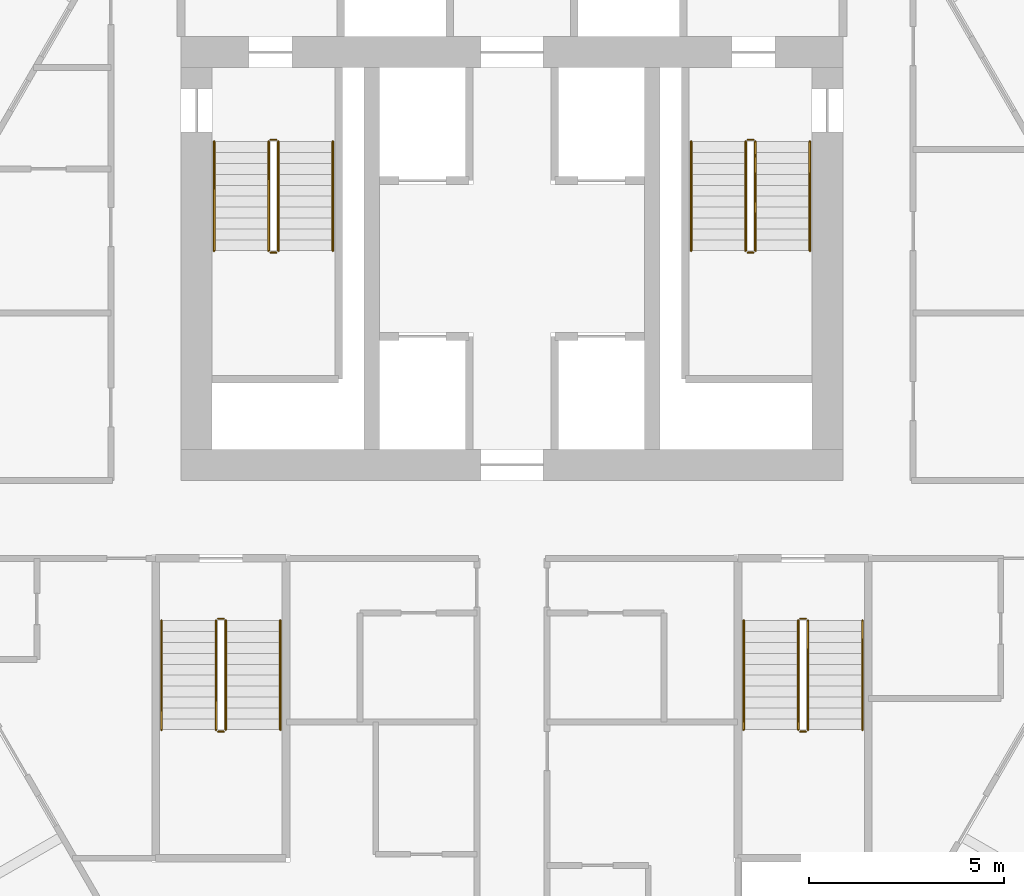
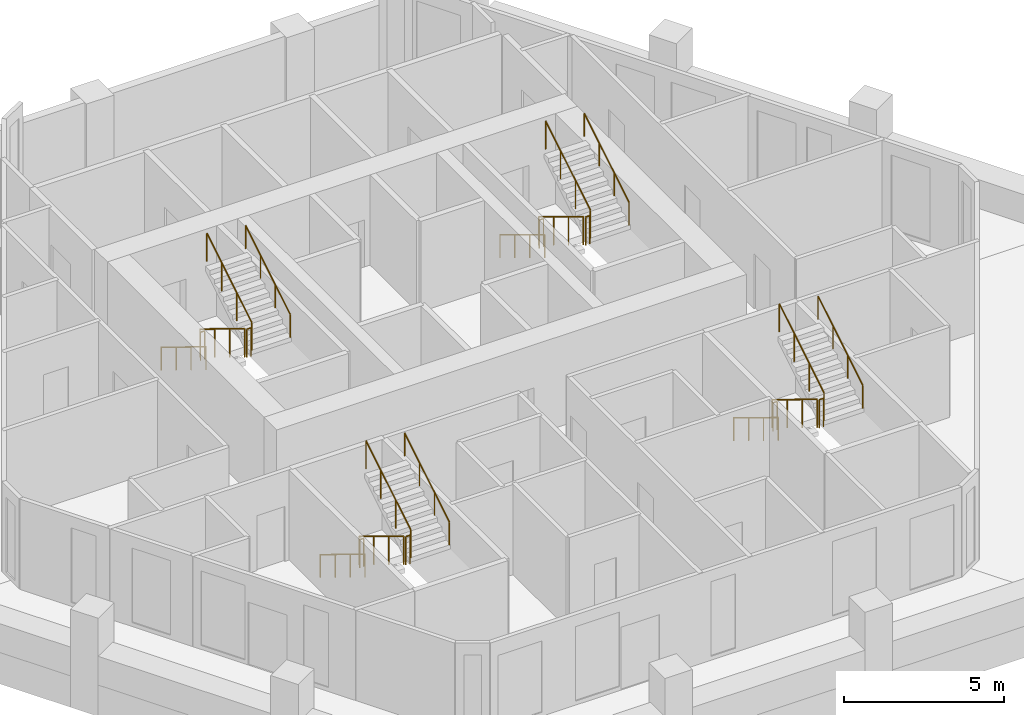
# One storey, part 7 of 7: 24 railings.
"""IFC4 building model written with IfcOpenShell, lengths in metres."""

from ifc_helpers import new_model, si_unit, direction, frame, origin, origin_2d, place, context, subcontext, project, spatial, circle, extrude, material, type_object, element, save


model = new_model("IFC4")

# Units and contexts
model_context = context("Model", 3, precision=1e-05, world=origin(), true_north=direction((0.0, 1.0)))
body_context = subcontext(model_context, "Body", "Model", "MODEL_VIEW")
ifc_project = project(units=[si_unit("LENGTHUNIT", "METRE"), si_unit("AREAUNIT", "SQUARE_METRE"), si_unit("VOLUMEUNIT", "CUBIC_METRE"), si_unit("PLANEANGLEUNIT", "RADIAN"), si_unit("MASSUNIT", "GRAM", prefix="KILO")], contexts=[model_context])

# Site, building, storey
site_placement = place(None, origin())
site = spatial("IfcSite", under=ifc_project, at=site_placement, CompositionType="ELEMENT")
building_placement = place(site_placement, origin())
building = spatial("IfcBuilding", under=site, at=building_placement, Name="Ostrander Bayou Hotel Tower", CompositionType="ELEMENT")
storey_placement = place(building_placement, frame((0.0, 0.0, 172.0)))
storey = spatial("IfcBuildingStorey", under=building, at=storey_placement, Name="L42", CompositionType="ELEMENT", Elevation=172.0)

# Railings
ifc_material_1 = material(Name="Steel ASTM A500 Gr C", Category="steel")
railing_type_1 = type_object("IfcRailingType", Name="GR1 stair guard 1100 mm steel", PredefinedType="GUARDRAIL", material=ifc_material_1)
railing_1_placement = place(storey_placement, frame((-6.25, 7.0, 0.17041015625)))
element("IfcRailing", 1, at=railing_1_placement, inside=storey, type_object=railing_type_1, Name="L42 STA stair guard 1", PredefinedType="GUARDRAIL", context=body_context, shape_type="SweptSolid", body=[
    extrude(circle(Radius=0.02392578125, at=origin_2d()), frame((0.0, 0.0, 1.076171875), z_axis=(0.0, -0.854169791009, 0.51999420009), x_axis=(1.0, 0.0, 0.0)), (0.0, 0.0, 1.0), 3.278076171875),
    extrude(circle(Radius=0.02099609375, at=origin_2d()), origin(), (0.0, 0.0, 1.0), 1.052001953125),
    extrude(circle(Radius=0.02099609375, at=origin_2d()), frame((0.0, -0.933349609375, 0.568115234375)), (0.0, 0.0, 1.0), 1.052001953125),
    extrude(circle(Radius=0.02099609375, at=origin_2d()), frame((0.0, -1.86669921875, 1.136474609375)), (0.0, 0.0, 1.0), 1.052001953125),
    extrude(circle(Radius=0.02099609375, at=origin_2d()), frame((0.0, -2.800048828125, 1.70458984375)), (0.0, 0.0, 1.0), 1.052001953125),
])
railing_2_placement = place(storey_placement, frame((-6.199951171875, 4.14990234375, 1.875)))
element("IfcRailing", 2, at=railing_2_placement, inside=storey, type_object=railing_type_1, Name="L42 STA stair guard 2", PredefinedType="GUARDRAIL", context=body_context, shape_type="SweptSolid", body=[
    extrude(circle(Radius=0.02392578125, at=origin_2d()), frame((0.0, 0.0, 1.076171875), z_axis=(1.0, 0.0, 0.0), x_axis=(0.0, 1.0, 0.0)), (0.0, 0.0, 1.0), 0.14990234375),
    extrude(circle(Radius=0.02099609375, at=origin_2d()), origin(), (0.0, 0.0, 1.0), 1.052001953125),
    extrude(circle(Radius=0.02099609375, at=origin_2d()), frame((0.14990234375, 0.0, 0.0)), (0.0, 0.0, 1.0), 1.052001953125),
])
railing_3_placement = place(storey_placement, frame((-6.0, 4.199951171875, 2.04541015625)))
element("IfcRailing", 3, at=railing_3_placement, inside=storey, type_object=railing_type_1, Name="L42 STA stair guard 3", PredefinedType="GUARDRAIL", context=body_context, shape_type="SweptSolid", body=[
    extrude(circle(Radius=0.02392578125, at=origin_2d()), frame((0.0, 0.0, 1.076171875), z_axis=(0.0, 0.854169791009, 0.51999420009), x_axis=(-1.0, 0.0, 0.0)), (0.0, 0.0, 1.0), 3.278076171875),
    extrude(circle(Radius=0.02099609375, at=origin_2d()), origin(), (0.0, 0.0, 1.0), 1.052001953125),
    extrude(circle(Radius=0.02099609375, at=origin_2d()), frame((0.0, 0.933349609375, 0.568115234375)), (0.0, 0.0, 1.0), 1.052001953125),
    extrude(circle(Radius=0.02099609375, at=origin_2d()), frame((0.0, 1.86669921875, 1.136474609375)), (0.0, 0.0, 1.0), 1.052001953125),
    extrude(circle(Radius=0.02099609375, at=origin_2d()), frame((0.0, 2.800048828125, 1.70458984375)), (0.0, 0.0, 1.0), 1.052001953125),
])
railing_4_placement = place(storey_placement, frame((-6.199951171875, 7.050048828125, 0.0)))
element("IfcRailing", 4, at=railing_4_placement, inside=storey, type_object=railing_type_1, Name="L42 STA stair guard 4", PredefinedType="GUARDRAIL", context=body_context, shape_type="SweptSolid", body=[
    extrude(circle(Radius=0.02392578125, at=origin_2d()), frame((0.0, 0.0, 1.076171875), z_axis=(1.0, 0.0, 0.0), x_axis=(0.0, 1.0, 0.0)), (0.0, 0.0, 1.0), 0.14990234375),
    extrude(circle(Radius=0.02099609375, at=origin_2d()), origin(), (0.0, 0.0, 1.0), 1.052001953125),
    extrude(circle(Radius=0.02099609375, at=origin_2d()), frame((0.14990234375, 0.0, 0.0)), (0.0, 0.0, 1.0), 1.052001953125),
])
railing_5_placement = place(storey_placement, frame((6.0, 7.0, 0.17041015625)))
element("IfcRailing", 5, at=railing_5_placement, inside=storey, type_object=railing_type_1, Name="L42 STB stair guard 1", PredefinedType="GUARDRAIL", context=body_context, shape_type="SweptSolid", body=[
    extrude(circle(Radius=0.02392578125, at=origin_2d()), frame((0.0, 0.0, 1.076171875), z_axis=(0.0, -0.854169791009, 0.51999420009), x_axis=(1.0, 0.0, 0.0)), (0.0, 0.0, 1.0), 3.278076171875),
    extrude(circle(Radius=0.02099609375, at=origin_2d()), origin(), (0.0, 0.0, 1.0), 1.052001953125),
    extrude(circle(Radius=0.02099609375, at=origin_2d()), frame((0.0, -0.933349609375, 0.568115234375)), (0.0, 0.0, 1.0), 1.052001953125),
    extrude(circle(Radius=0.02099609375, at=origin_2d()), frame((0.0, -1.86669921875, 1.136474609375)), (0.0, 0.0, 1.0), 1.052001953125),
    extrude(circle(Radius=0.02099609375, at=origin_2d()), frame((0.0, -2.800048828125, 1.70458984375)), (0.0, 0.0, 1.0), 1.052001953125),
])
railing_6_placement = place(storey_placement, frame((6.050048828125, 4.14990234375, 1.875)))
element("IfcRailing", 6, at=railing_6_placement, inside=storey, type_object=railing_type_1, Name="L42 STB stair guard 2", PredefinedType="GUARDRAIL", context=body_context, shape_type="SweptSolid", body=[
    extrude(circle(Radius=0.02392578125, at=origin_2d()), frame((0.0, 0.0, 1.076171875), z_axis=(1.0, 0.0, 0.0), x_axis=(0.0, 1.0, 0.0)), (0.0, 0.0, 1.0), 0.14990234375),
    extrude(circle(Radius=0.02099609375, at=origin_2d()), origin(), (0.0, 0.0, 1.0), 1.052001953125),
    extrude(circle(Radius=0.02099609375, at=origin_2d()), frame((0.14990234375, 0.0, 0.0)), (0.0, 0.0, 1.0), 1.052001953125),
])
railing_7_placement = place(storey_placement, frame((6.25, 4.199951171875, 2.04541015625)))
element("IfcRailing", 7, at=railing_7_placement, inside=storey, type_object=railing_type_1, Name="L42 STB stair guard 3", PredefinedType="GUARDRAIL", context=body_context, shape_type="SweptSolid", body=[
    extrude(circle(Radius=0.02392578125, at=origin_2d()), frame((0.0, 0.0, 1.076171875), z_axis=(0.0, 0.854169791009, 0.51999420009), x_axis=(-1.0, 0.0, 0.0)), (0.0, 0.0, 1.0), 3.278076171875),
    extrude(circle(Radius=0.02099609375, at=origin_2d()), origin(), (0.0, 0.0, 1.0), 1.052001953125),
    extrude(circle(Radius=0.02099609375, at=origin_2d()), frame((0.0, 0.933349609375, 0.568115234375)), (0.0, 0.0, 1.0), 1.052001953125),
    extrude(circle(Radius=0.02099609375, at=origin_2d()), frame((0.0, 1.86669921875, 1.136474609375)), (0.0, 0.0, 1.0), 1.052001953125),
    extrude(circle(Radius=0.02099609375, at=origin_2d()), frame((0.0, 2.800048828125, 1.70458984375)), (0.0, 0.0, 1.0), 1.052001953125),
])
railing_8_placement = place(storey_placement, frame((6.050048828125, 7.050048828125, 0.0)))
element("IfcRailing", 8, at=railing_8_placement, inside=storey, type_object=railing_type_1, Name="L42 STB stair guard 4", PredefinedType="GUARDRAIL", context=body_context, shape_type="SweptSolid", body=[
    extrude(circle(Radius=0.02392578125, at=origin_2d()), frame((0.0, 0.0, 1.076171875), z_axis=(1.0, 0.0, 0.0), x_axis=(0.0, 1.0, 0.0)), (0.0, 0.0, 1.0), 0.14990234375),
    extrude(circle(Radius=0.02099609375, at=origin_2d()), origin(), (0.0, 0.0, 1.0), 1.052001953125),
    extrude(circle(Radius=0.02099609375, at=origin_2d()), frame((0.14990234375, 0.0, 0.0)), (0.0, 0.0, 1.0), 1.052001953125),
])
railing_9_placement = place(storey_placement, frame((7.35009765625, -5.300048828125, 0.17041015625)))
element("IfcRailing", 9, at=railing_9_placement, inside=storey, type_object=railing_type_1, Name="L42 STC stair guard 1", PredefinedType="GUARDRAIL", context=body_context, shape_type="SweptSolid", body=[
    extrude(circle(Radius=0.02392578125, at=origin_2d()), frame((0.0, 0.0, 1.076171875), z_axis=(0.0, -0.854169791009, 0.51999420009), x_axis=(1.0, 0.0, 0.0)), (0.0, 0.0, 1.0), 3.278076171875),
    extrude(circle(Radius=0.02099609375, at=origin_2d()), origin(), (0.0, 0.0, 1.0), 1.052001953125),
    extrude(circle(Radius=0.02099609375, at=origin_2d()), frame((0.0, -0.933349609375, 0.568115234375)), (0.0, 0.0, 1.0), 1.052001953125),
    extrude(circle(Radius=0.02099609375, at=origin_2d()), frame((0.0, -1.86669921875, 1.136474609375)), (0.0, 0.0, 1.0), 1.052001953125),
    extrude(circle(Radius=0.02099609375, at=origin_2d()), frame((0.0, -2.800048828125, 1.70458984375)), (0.0, 0.0, 1.0), 1.052001953125),
])
railing_10_placement = place(storey_placement, frame((7.39990234375, -8.14990234375, 1.875)))
element("IfcRailing", 10, at=railing_10_placement, inside=storey, type_object=railing_type_1, Name="L42 STC stair guard 2", PredefinedType="GUARDRAIL", context=body_context, shape_type="SweptSolid", body=[
    extrude(circle(Radius=0.02392578125, at=origin_2d()), frame((0.0, 0.0, 1.076171875), z_axis=(1.0, 0.0, 0.0), x_axis=(0.0, 1.0, 0.0)), (0.0, 0.0, 1.0), 0.150146484375),
    extrude(circle(Radius=0.02099609375, at=origin_2d()), origin(), (0.0, 0.0, 1.0), 1.052001953125),
    extrude(circle(Radius=0.02099609375, at=origin_2d()), frame((0.150146484375, 0.0, 0.0)), (0.0, 0.0, 1.0), 1.052001953125),
])
railing_11_placement = place(storey_placement, frame((7.60009765625, -8.10009765625, 2.04541015625)))
element("IfcRailing", 11, at=railing_11_placement, inside=storey, type_object=railing_type_1, Name="L42 STC stair guard 3", PredefinedType="GUARDRAIL", context=body_context, shape_type="SweptSolid", body=[
    extrude(circle(Radius=0.02392578125, at=origin_2d()), frame((0.0, 0.0, 1.076171875), z_axis=(0.0, 0.854169791009, 0.51999420009), x_axis=(-1.0, 0.0, 0.0)), (0.0, 0.0, 1.0), 3.278076171875),
    extrude(circle(Radius=0.02099609375, at=origin_2d()), origin(), (0.0, 0.0, 1.0), 1.052001953125),
    extrude(circle(Radius=0.02099609375, at=origin_2d()), frame((0.0, 0.933349609375, 0.568115234375)), (0.0, 0.0, 1.0), 1.052001953125),
    extrude(circle(Radius=0.02099609375, at=origin_2d()), frame((0.0, 1.86669921875, 1.136474609375)), (0.0, 0.0, 1.0), 1.052001953125),
    extrude(circle(Radius=0.02099609375, at=origin_2d()), frame((0.0, 2.800048828125, 1.70458984375)), (0.0, 0.0, 1.0), 1.052001953125),
])
railing_12_placement = place(storey_placement, frame((7.39990234375, -5.25, 0.0)))
element("IfcRailing", 12, at=railing_12_placement, inside=storey, type_object=railing_type_1, Name="L42 STC stair guard 4", PredefinedType="GUARDRAIL", context=body_context, shape_type="SweptSolid", body=[
    extrude(circle(Radius=0.02392578125, at=origin_2d()), frame((0.0, 0.0, 1.076171875), z_axis=(1.0, 0.0, 0.0), x_axis=(0.0, 1.0, 0.0)), (0.0, 0.0, 1.0), 0.150146484375),
    extrude(circle(Radius=0.02099609375, at=origin_2d()), origin(), (0.0, 0.0, 1.0), 1.052001953125),
    extrude(circle(Radius=0.02099609375, at=origin_2d()), frame((0.150146484375, 0.0, 0.0)), (0.0, 0.0, 1.0), 1.052001953125),
])
railing_13_placement = place(storey_placement, frame((-7.60009765625, -5.300048828125, 0.17041015625)))
element("IfcRailing", 13, at=railing_13_placement, inside=storey, type_object=railing_type_1, Name="L42 STD stair guard 1", PredefinedType="GUARDRAIL", context=body_context, shape_type="SweptSolid", body=[
    extrude(circle(Radius=0.02392578125, at=origin_2d()), frame((0.0, 0.0, 1.076171875), z_axis=(0.0, -0.854169791009, 0.51999420009), x_axis=(1.0, 0.0, 0.0)), (0.0, 0.0, 1.0), 3.278076171875),
    extrude(circle(Radius=0.02099609375, at=origin_2d()), origin(), (0.0, 0.0, 1.0), 1.052001953125),
    extrude(circle(Radius=0.02099609375, at=origin_2d()), frame((0.0, -0.933349609375, 0.568115234375)), (0.0, 0.0, 1.0), 1.052001953125),
    extrude(circle(Radius=0.02099609375, at=origin_2d()), frame((0.0, -1.86669921875, 1.136474609375)), (0.0, 0.0, 1.0), 1.052001953125),
    extrude(circle(Radius=0.02099609375, at=origin_2d()), frame((0.0, -2.800048828125, 1.70458984375)), (0.0, 0.0, 1.0), 1.052001953125),
])
railing_14_placement = place(storey_placement, frame((-7.550048828125, -8.14990234375, 1.875)))
element("IfcRailing", 14, at=railing_14_placement, inside=storey, type_object=railing_type_1, Name="L42 STD stair guard 2", PredefinedType="GUARDRAIL", context=body_context, shape_type="SweptSolid", body=[
    extrude(circle(Radius=0.02392578125, at=origin_2d()), frame((0.0, 0.0, 1.076171875), z_axis=(1.0, 0.0, 0.0), x_axis=(0.0, 1.0, 0.0)), (0.0, 0.0, 1.0), 0.150146484375),
    extrude(circle(Radius=0.02099609375, at=origin_2d()), origin(), (0.0, 0.0, 1.0), 1.052001953125),
    extrude(circle(Radius=0.02099609375, at=origin_2d()), frame((0.150146484375, 0.0, 0.0)), (0.0, 0.0, 1.0), 1.052001953125),
])
railing_15_placement = place(storey_placement, frame((-7.35009765625, -8.10009765625, 2.04541015625)))
element("IfcRailing", 15, at=railing_15_placement, inside=storey, type_object=railing_type_1, Name="L42 STD stair guard 3", PredefinedType="GUARDRAIL", context=body_context, shape_type="SweptSolid", body=[
    extrude(circle(Radius=0.02392578125, at=origin_2d()), frame((0.0, 0.0, 1.076171875), z_axis=(0.0, 0.854169791009, 0.51999420009), x_axis=(-1.0, 0.0, 0.0)), (0.0, 0.0, 1.0), 3.278076171875),
    extrude(circle(Radius=0.02099609375, at=origin_2d()), origin(), (0.0, 0.0, 1.0), 1.052001953125),
    extrude(circle(Radius=0.02099609375, at=origin_2d()), frame((0.0, 0.933349609375, 0.568115234375)), (0.0, 0.0, 1.0), 1.052001953125),
    extrude(circle(Radius=0.02099609375, at=origin_2d()), frame((0.0, 1.86669921875, 1.136474609375)), (0.0, 0.0, 1.0), 1.052001953125),
    extrude(circle(Radius=0.02099609375, at=origin_2d()), frame((0.0, 2.800048828125, 1.70458984375)), (0.0, 0.0, 1.0), 1.052001953125),
])
railing_16_placement = place(storey_placement, frame((-7.550048828125, -5.25, 0.0)))
element("IfcRailing", 16, at=railing_16_placement, inside=storey, type_object=railing_type_1, Name="L42 STD stair guard 4", PredefinedType="GUARDRAIL", context=body_context, shape_type="SweptSolid", body=[
    extrude(circle(Radius=0.02392578125, at=origin_2d()), frame((0.0, 0.0, 1.076171875), z_axis=(1.0, 0.0, 0.0), x_axis=(0.0, 1.0, 0.0)), (0.0, 0.0, 1.0), 0.150146484375),
    extrude(circle(Radius=0.02099609375, at=origin_2d()), origin(), (0.0, 0.0, 1.0), 1.052001953125),
    extrude(circle(Radius=0.02099609375, at=origin_2d()), frame((0.150146484375, 0.0, 0.0)), (0.0, 0.0, 1.0), 1.052001953125),
])
ifc_material_2 = material(Name="Steel ASTM A500 Gr C", Category="steel")
railing_type_2 = type_object("IfcRailingType", Name="HR1 stair handrail 900 mm steel", PredefinedType="HANDRAIL", material=ifc_material_2)
railing_17_placement = place(storey_placement, frame((-7.64990234375, 7.0, 0.17041015625)))
element("IfcRailing", 17, at=railing_17_placement, inside=storey, type_object=railing_type_2, Name="L42 STA stair handrail 1", PredefinedType="HANDRAIL", context=body_context, shape_type="SweptSolid", body=[
    extrude(circle(Radius=0.02392578125, at=origin_2d()), frame((0.0, 0.0, 0.8759765625), z_axis=(0.0, -0.854169791009, 0.51999420009), x_axis=(1.0, 0.0, 0.0)), (0.0, 0.0, 1.0), 3.278076171875),
    extrude(circle(Radius=0.02099609375, at=origin_2d()), origin(), (0.0, 0.0, 1.0), 0.851806640625),
    extrude(circle(Radius=0.02099609375, at=origin_2d()), frame((0.0, -0.933349609375, 0.568115234375)), (0.0, 0.0, 1.0), 0.851806640625),
    extrude(circle(Radius=0.02099609375, at=origin_2d()), frame((0.0, -1.86669921875, 1.136474609375)), (0.0, 0.0, 1.0), 0.851806640625),
    extrude(circle(Radius=0.02099609375, at=origin_2d()), frame((0.0, -2.800048828125, 1.70458984375)), (0.0, 0.0, 1.0), 0.851806640625),
])
railing_18_placement = place(storey_placement, frame((-4.60009765625, 4.199951171875, 2.04541015625)))
element("IfcRailing", 18, at=railing_18_placement, inside=storey, type_object=railing_type_2, Name="L42 STA stair handrail 2", PredefinedType="HANDRAIL", context=body_context, shape_type="SweptSolid", body=[
    extrude(circle(Radius=0.02392578125, at=origin_2d()), frame((0.0, 0.0, 0.8759765625), z_axis=(0.0, 0.854169791009, 0.51999420009), x_axis=(-1.0, 0.0, 0.0)), (0.0, 0.0, 1.0), 3.278076171875),
    extrude(circle(Radius=0.02099609375, at=origin_2d()), origin(), (0.0, 0.0, 1.0), 0.851806640625),
    extrude(circle(Radius=0.02099609375, at=origin_2d()), frame((0.0, 0.933349609375, 0.568115234375)), (0.0, 0.0, 1.0), 0.851806640625),
    extrude(circle(Radius=0.02099609375, at=origin_2d()), frame((0.0, 1.86669921875, 1.136474609375)), (0.0, 0.0, 1.0), 0.851806640625),
    extrude(circle(Radius=0.02099609375, at=origin_2d()), frame((0.0, 2.800048828125, 1.70458984375)), (0.0, 0.0, 1.0), 0.851806640625),
])
railing_19_placement = place(storey_placement, frame((4.60009765625, 7.0, 0.17041015625)))
element("IfcRailing", 19, at=railing_19_placement, inside=storey, type_object=railing_type_2, Name="L42 STB stair handrail 1", PredefinedType="HANDRAIL", context=body_context, shape_type="SweptSolid", body=[
    extrude(circle(Radius=0.02392578125, at=origin_2d()), frame((0.0, 0.0, 0.8759765625), z_axis=(0.0, -0.854169791009, 0.51999420009), x_axis=(1.0, 0.0, 0.0)), (0.0, 0.0, 1.0), 3.278076171875),
    extrude(circle(Radius=0.02099609375, at=origin_2d()), origin(), (0.0, 0.0, 1.0), 0.851806640625),
    extrude(circle(Radius=0.02099609375, at=origin_2d()), frame((0.0, -0.933349609375, 0.568115234375)), (0.0, 0.0, 1.0), 0.851806640625),
    extrude(circle(Radius=0.02099609375, at=origin_2d()), frame((0.0, -1.86669921875, 1.136474609375)), (0.0, 0.0, 1.0), 0.851806640625),
    extrude(circle(Radius=0.02099609375, at=origin_2d()), frame((0.0, -2.800048828125, 1.70458984375)), (0.0, 0.0, 1.0), 0.851806640625),
])
railing_20_placement = place(storey_placement, frame((7.64990234375, 4.199951171875, 2.04541015625)))
element("IfcRailing", 20, at=railing_20_placement, inside=storey, type_object=railing_type_2, Name="L42 STB stair handrail 2", PredefinedType="HANDRAIL", context=body_context, shape_type="SweptSolid", body=[
    extrude(circle(Radius=0.02392578125, at=origin_2d()), frame((0.0, 0.0, 0.8759765625), z_axis=(0.0, 0.854169791009, 0.51999420009), x_axis=(-1.0, 0.0, 0.0)), (0.0, 0.0, 1.0), 3.278076171875),
    extrude(circle(Radius=0.02099609375, at=origin_2d()), origin(), (0.0, 0.0, 1.0), 0.851806640625),
    extrude(circle(Radius=0.02099609375, at=origin_2d()), frame((0.0, 0.933349609375, 0.568115234375)), (0.0, 0.0, 1.0), 0.851806640625),
    extrude(circle(Radius=0.02099609375, at=origin_2d()), frame((0.0, 1.86669921875, 1.136474609375)), (0.0, 0.0, 1.0), 0.851806640625),
    extrude(circle(Radius=0.02099609375, at=origin_2d()), frame((0.0, 2.800048828125, 1.70458984375)), (0.0, 0.0, 1.0), 0.851806640625),
])
railing_21_placement = place(storey_placement, frame((5.949951171875, -5.300048828125, 0.17041015625)))
element("IfcRailing", 21, at=railing_21_placement, inside=storey, type_object=railing_type_2, Name="L42 STC stair handrail 1", PredefinedType="HANDRAIL", context=body_context, shape_type="SweptSolid", body=[
    extrude(circle(Radius=0.02392578125, at=origin_2d()), frame((0.0, 0.0, 0.8759765625), z_axis=(0.0, -0.854169791009, 0.51999420009), x_axis=(1.0, 0.0, 0.0)), (0.0, 0.0, 1.0), 3.278076171875),
    extrude(circle(Radius=0.02099609375, at=origin_2d()), origin(), (0.0, 0.0, 1.0), 0.851806640625),
    extrude(circle(Radius=0.02099609375, at=origin_2d()), frame((0.0, -0.933349609375, 0.568115234375)), (0.0, 0.0, 1.0), 0.851806640625),
    extrude(circle(Radius=0.02099609375, at=origin_2d()), frame((0.0, -1.86669921875, 1.136474609375)), (0.0, 0.0, 1.0), 0.851806640625),
    extrude(circle(Radius=0.02099609375, at=origin_2d()), frame((0.0, -2.800048828125, 1.70458984375)), (0.0, 0.0, 1.0), 0.851806640625),
])
railing_22_placement = place(storey_placement, frame((9.0, -8.10009765625, 2.04541015625)))
element("IfcRailing", 22, at=railing_22_placement, inside=storey, type_object=railing_type_2, Name="L42 STC stair handrail 2", PredefinedType="HANDRAIL", context=body_context, shape_type="SweptSolid", body=[
    extrude(circle(Radius=0.02392578125, at=origin_2d()), frame((0.0, 0.0, 0.8759765625), z_axis=(0.0, 0.854169791009, 0.51999420009), x_axis=(-1.0, 0.0, 0.0)), (0.0, 0.0, 1.0), 3.278076171875),
    extrude(circle(Radius=0.02099609375, at=origin_2d()), origin(), (0.0, 0.0, 1.0), 0.851806640625),
    extrude(circle(Radius=0.02099609375, at=origin_2d()), frame((0.0, 0.933349609375, 0.568115234375)), (0.0, 0.0, 1.0), 0.851806640625),
    extrude(circle(Radius=0.02099609375, at=origin_2d()), frame((0.0, 1.86669921875, 1.136474609375)), (0.0, 0.0, 1.0), 0.851806640625),
    extrude(circle(Radius=0.02099609375, at=origin_2d()), frame((0.0, 2.800048828125, 1.70458984375)), (0.0, 0.0, 1.0), 0.851806640625),
])
railing_23_placement = place(storey_placement, frame((-9.0, -5.300048828125, 0.17041015625)))
element("IfcRailing", 23, at=railing_23_placement, inside=storey, type_object=railing_type_2, Name="L42 STD stair handrail 1", PredefinedType="HANDRAIL", context=body_context, shape_type="SweptSolid", body=[
    extrude(circle(Radius=0.02392578125, at=origin_2d()), frame((0.0, 0.0, 0.8759765625), z_axis=(0.0, -0.854169791009, 0.51999420009), x_axis=(1.0, 0.0, 0.0)), (0.0, 0.0, 1.0), 3.278076171875),
    extrude(circle(Radius=0.02099609375, at=origin_2d()), origin(), (0.0, 0.0, 1.0), 0.851806640625),
    extrude(circle(Radius=0.02099609375, at=origin_2d()), frame((0.0, -0.933349609375, 0.568115234375)), (0.0, 0.0, 1.0), 0.851806640625),
    extrude(circle(Radius=0.02099609375, at=origin_2d()), frame((0.0, -1.86669921875, 1.136474609375)), (0.0, 0.0, 1.0), 0.851806640625),
    extrude(circle(Radius=0.02099609375, at=origin_2d()), frame((0.0, -2.800048828125, 1.70458984375)), (0.0, 0.0, 1.0), 0.851806640625),
])
railing_24_placement = place(storey_placement, frame((-5.949951171875, -8.10009765625, 2.04541015625)))
element("IfcRailing", 24, at=railing_24_placement, inside=storey, type_object=railing_type_2, Name="L42 STD stair handrail 2", PredefinedType="HANDRAIL", context=body_context, shape_type="SweptSolid", body=[
    extrude(circle(Radius=0.02392578125, at=origin_2d()), frame((0.0, 0.0, 0.8759765625), z_axis=(0.0, 0.854169791009, 0.51999420009), x_axis=(-1.0, 0.0, 0.0)), (0.0, 0.0, 1.0), 3.278076171875),
    extrude(circle(Radius=0.02099609375, at=origin_2d()), origin(), (0.0, 0.0, 1.0), 0.851806640625),
    extrude(circle(Radius=0.02099609375, at=origin_2d()), frame((0.0, 0.933349609375, 0.568115234375)), (0.0, 0.0, 1.0), 0.851806640625),
    extrude(circle(Radius=0.02099609375, at=origin_2d()), frame((0.0, 1.86669921875, 1.136474609375)), (0.0, 0.0, 1.0), 0.851806640625),
    extrude(circle(Radius=0.02099609375, at=origin_2d()), frame((0.0, 2.800048828125, 1.70458984375)), (0.0, 0.0, 1.0), 0.851806640625),
])

save(model, "model.ifc")
